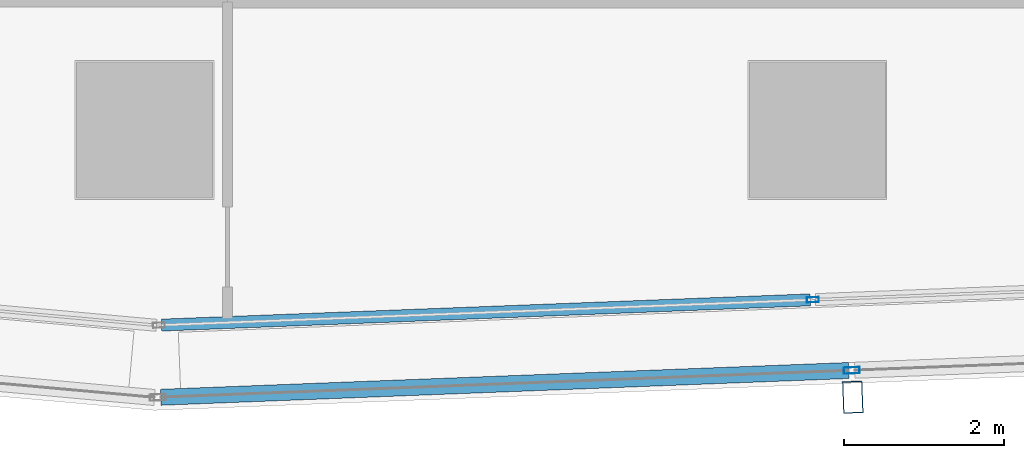
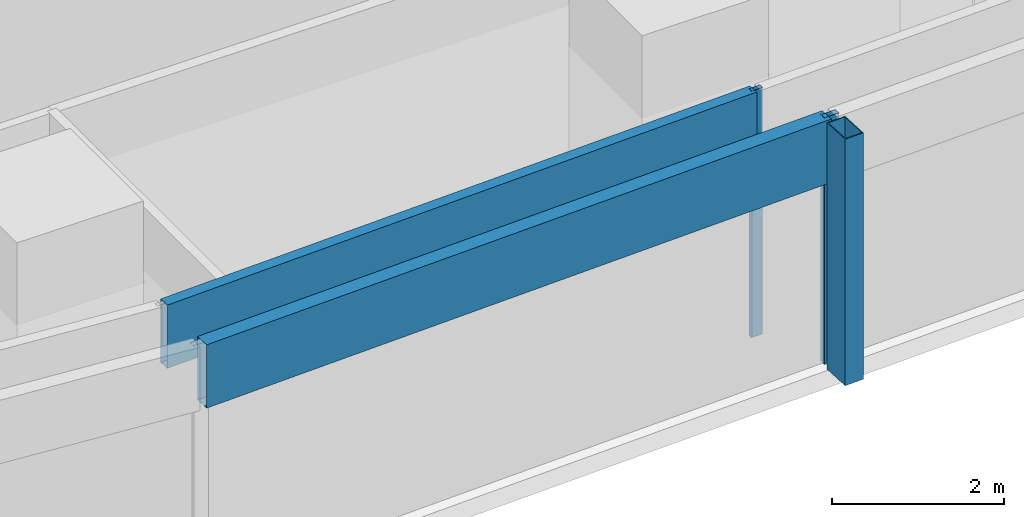
# One storey, part 6 of 40: 5 members, 2 elements without a shape of their own.
"""IFC4 building model written with IfcOpenShell, lengths in metres."""

from ifc_helpers import new_model, si_unit, direction, frame, origin, origin_2d, place, context, subcontext, project, spatial, hollow_rectangle, extrude, material, material_profile, profile_set, type_object, element, aggregate, save


model = new_model("IFC4")

# Units and contexts
model_context = context("Model", 3, precision=1e-05, world=origin(), true_north=direction((0.0, 1.0)))
body_context = subcontext(model_context, "Body", "Model", "MODEL_VIEW")
ifc_project = project(units=[si_unit("LENGTHUNIT", "METRE"), si_unit("AREAUNIT", "SQUARE_METRE"), si_unit("VOLUMEUNIT", "CUBIC_METRE"), si_unit("PLANEANGLEUNIT", "RADIAN"), si_unit("MASSUNIT", "GRAM", prefix="KILO")], contexts=[model_context])

# Site, building, storey
site_placement = place(None, origin())
site = spatial("IfcSite", under=ifc_project, at=site_placement, CompositionType="ELEMENT")
building_placement = place(site_placement, origin())
building = spatial("IfcBuilding", under=site, at=building_placement, Name="Rekha Terrace Tower", CompositionType="ELEMENT")
storey_placement = place(building_placement, frame((0.0, 0.0, 106.550048828125)))
storey = spatial("IfcBuildingStorey", under=building, at=storey_placement, Name="L26", CompositionType="ELEMENT", Elevation=106.550048828125)

# Curtain wall, member
ifc_material_1 = material(Name="Aluminium framing", Category="aluminium")
curtain_wall_type_1 = type_object("IfcCurtainWallType", Name="CW2 double skin outer glazing", PredefinedType="USERDEFINED", material=ifc_material_1)
curtain_wall_1_placement = place(storey_placement, origin())
curtain_wall_1 = element("IfcCurtainWall", 1, at=curtain_wall_1_placement, inside=storey, type_object=curtain_wall_type_1, Name="CW2 double skin outer glazing", ObjectType="DOUBLE SKIN OUTER GLAZING", PredefinedType="USERDEFINED")
ifc_material_2 = material(Name="Steel S355 with fluorocarbon finish", Category="steel")
ifc_material_profile_1 = material_profile(ifc_material_2, hollow_rectangle(XDim=0.25, YDim=0.39990234375, WallThickness=0.012451171875, at=origin_2d()), Name="RHS400x250x12.5")
ifc_profile_set_1 = profile_set([ifc_material_profile_1], Name="Steel S355 with fluorocarbon finish")
member_type_1 = type_object("IfcMemberType", Name="BL1 facade blade RHS 400 x 250", PredefinedType="USERDEFINED", material=ifc_profile_set_1)
member_1_placement = place(storey_placement, frame((34.042236328125, 13.46435546875, 0.0), z_axis=(0.0, 0.0, 1.0), x_axis=(0.999243494356, 0.038890088543, 0.0)))
member_1 = element("IfcMember", 2, at=member_1_placement, type_object=member_type_1, Name="Facade blade", ObjectType="FACADE BLADE", PredefinedType="USERDEFINED", context=body_context, shape_type="SweptSolid", body=[
    extrude(hollow_rectangle(XDim=0.25, YDim=0.39990234375, WallThickness=0.012451171875, at=origin_2d()), origin(), (0.0, 0.0, 1.0), 3.5),
])

# Curtain wall, members
curtain_wall_type_2 = type_object("IfcCurtainWallType", Name="CW1 double skin inner glazing", PredefinedType="USERDEFINED", material=ifc_material_1)
curtain_wall_2_placement = place(storey_placement, origin())
curtain_wall_2 = element("IfcCurtainWall", 3, at=curtain_wall_2_placement, inside=storey, type_object=curtain_wall_type_2, Name="CW1 double skin inner glazing", ObjectType="DOUBLE SKIN INNER GLAZING", PredefinedType="USERDEFINED")
ifc_material_3 = material(Name="Aluminium mullion section", Category="aluminium")
ifc_material_profile_2 = material_profile(ifc_material_3, hollow_rectangle(XDim=0.06494140625, YDim=0.14990234375, WallThickness=0.00390625, at=origin_2d()), Name="AL RHS 65x150")
ifc_profile_set_2 = profile_set([ifc_material_profile_2], Name="Aluminium mullion section")
member_type_2 = type_object("IfcMemberType", Name="CW1 mullion RHS 65 x 150", PredefinedType="MULLION", material=ifc_profile_set_2)
member_2_placement = place(storey_placement, frame((33.5439453125, 14.680908203125, 0.0), z_axis=(0.0, 0.0, 1.0), x_axis=(-0.038889971345, 0.999243498917, 0.0)))
member_2 = element("IfcMember", 4, at=member_2_placement, type_object=member_type_2, Name="CW1 mullion 2", PredefinedType="MULLION", context=body_context, shape_type="SweptSolid", body=[
    extrude(hollow_rectangle(XDim=0.06494140625, YDim=0.14990234375, WallThickness=0.00390625, at=origin_2d()), origin(), (0.0, 0.0, 1.0), 3.5),
])
ifc_material_4 = material(Name="Insulated aluminium spandrel box", Category="aluminium")
ifc_material_profile_3 = material_profile(ifc_material_4, hollow_rectangle(XDim=0.14990234375, YDim=0.89990234375, WallThickness=0.0029296875, at=origin_2d()), Name="AL SPANDREL BOX 150x900")
ifc_profile_set_3 = profile_set([ifc_material_profile_3], Name="Insulated aluminium spandrel box")
member_type_3 = type_object("IfcMemberType", Name="CW1 spandrel transom 150 x 900", PredefinedType="USERDEFINED", material=ifc_profile_set_3)
member_3_placement = place(storey_placement, frame((25.412353515625, 14.364501953125, 3.050048828125), z_axis=(0.999243630757, 0.038886583689, 0.0), x_axis=(-0.038886583689, 0.999243630757, 0.0)))
member_3 = element("IfcMember", 5, at=member_3_placement, type_object=member_type_3, Name="CW1 spandrel transom 1", ObjectType="TRANSOM", PredefinedType="USERDEFINED", context=body_context, shape_type="SweptSolid", body=[
    extrude(hollow_rectangle(XDim=0.14990234375, YDim=0.89990234375, WallThickness=0.0029296875, at=origin_2d()), origin(), (0.0, 0.0, 1.0), 8.105224609375),
])
aggregate(curtain_wall_2, [member_2, member_3])

# Member
ifc_material_profile_4 = material_profile(ifc_material_3, hollow_rectangle(XDim=0.080078125, YDim=0.199951171875, WallThickness=0.00390625, at=origin_2d()), Name="AL RHS 80x200")
ifc_profile_set_4 = profile_set([ifc_material_profile_4], Name="Aluminium mullion section")
member_type_4 = type_object("IfcMemberType", Name="CW2 mullion RHS 80 x 200", PredefinedType="MULLION", material=ifc_profile_set_4)
member_4_placement = place(storey_placement, frame((34.029052734375, 13.799072265625, 0.0), z_axis=(0.0, 0.0, 1.0), x_axis=(-0.038889971345, 0.999243498917, 0.0)))
member_4 = element("IfcMember", 6, at=member_4_placement, type_object=member_type_4, Name="CW2 mullion 2", PredefinedType="MULLION", context=body_context, shape_type="SweptSolid", body=[
    extrude(hollow_rectangle(XDim=0.080078125, YDim=0.199951171875, WallThickness=0.00390625, at=origin_2d()), origin(), (0.0, 0.0, 1.0), 3.5),
])

ifc_material_profile_5 = material_profile(ifc_material_4, hollow_rectangle(XDim=0.199951171875, YDim=0.89990234375, WallThickness=0.0029296875, at=origin_2d()), Name="AL SPANDREL BOX 200x900")
ifc_profile_set_5 = profile_set([ifc_material_profile_5], Name="Insulated aluminium spandrel box")
member_type_5 = type_object("IfcMemberType", Name="CW2 spandrel transom 200 x 900", PredefinedType="USERDEFINED", material=ifc_profile_set_5)
member_5_placement = place(storey_placement, frame((25.404052734375, 13.46337890625, 3.050048828125), z_axis=(0.999243058466, 0.038901286707, 0.0), x_axis=(-0.038901286707, 0.999243058466, 0.0)))
member_5 = element("IfcMember", 7, at=member_5_placement, type_object=member_type_5, Name="CW2 spandrel transom 1", ObjectType="TRANSOM", PredefinedType="USERDEFINED", context=body_context, shape_type="SweptSolid", body=[
    extrude(hollow_rectangle(XDim=0.199951171875, YDim=0.89990234375, WallThickness=0.0029296875, at=origin_2d()), origin(), (0.0, 0.0, 1.0), 8.591796875),
])

aggregate(curtain_wall_1, [member_4, member_5, member_1])

save(model, "model.ifc")
